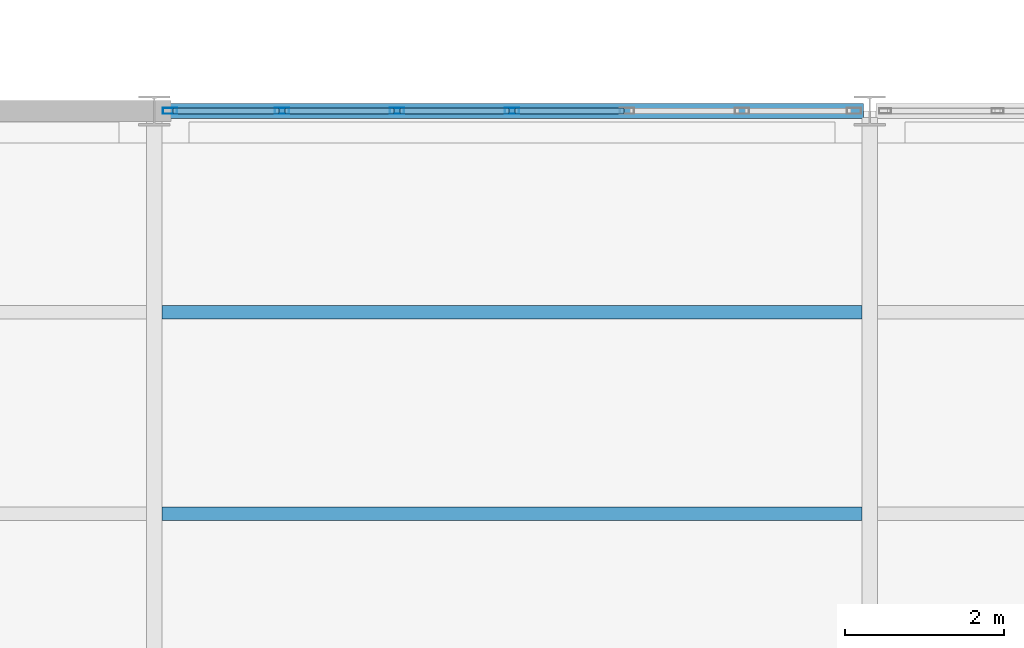
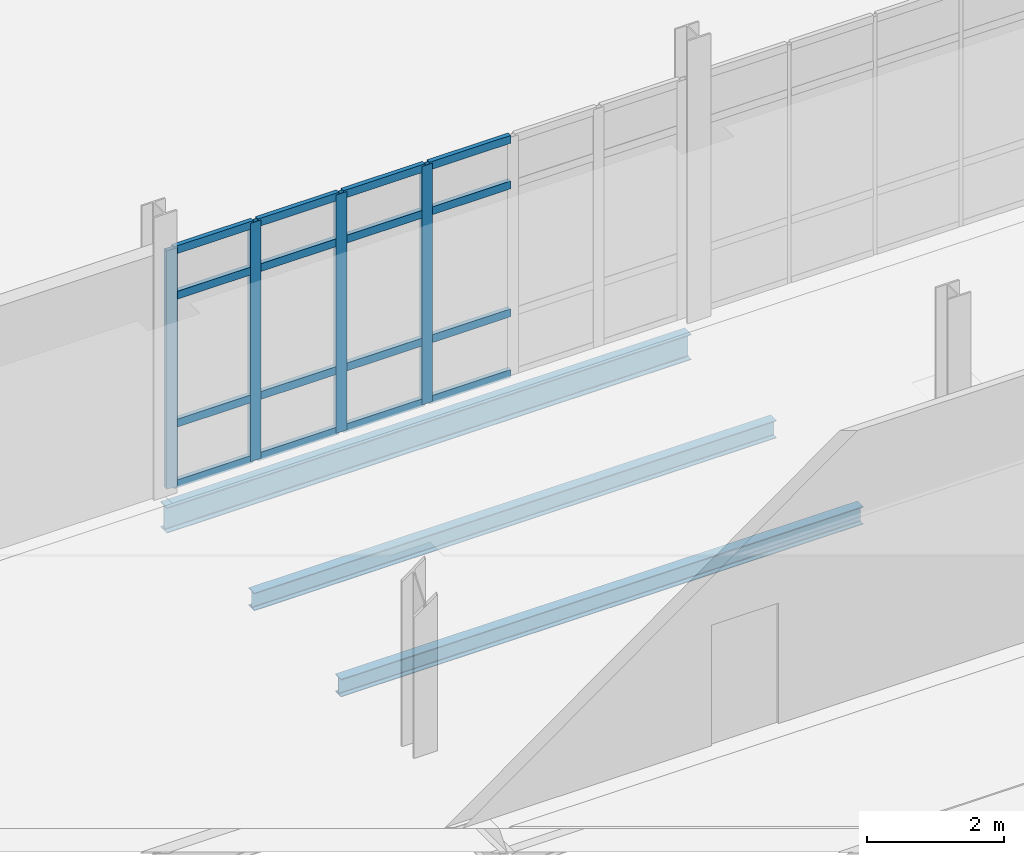
# One storey, part 58 of 161: 20 members, 3 beams, 1 element without a shape of its own.
"""IFC4 building model written with IfcOpenShell, lengths in metres."""

from ifc_helpers import new_model, si_unit, direction, frame, origin, origin_2d, place, context, subcontext, project, spatial, hollow_rectangle, i_section, extrude, material, material_profile, profile_set, type_object, element, aggregate, save


model = new_model("IFC4")

# Units and contexts
model_context = context("Model", 3, precision=1e-05, world=origin(), true_north=direction((0.0, 1.0)))
body_context = subcontext(model_context, "Body", "Model", "MODEL_VIEW")
ifc_project = project(units=[si_unit("LENGTHUNIT", "METRE"), si_unit("AREAUNIT", "SQUARE_METRE"), si_unit("VOLUMEUNIT", "CUBIC_METRE"), si_unit("PLANEANGLEUNIT", "RADIAN"), si_unit("MASSUNIT", "GRAM", prefix="KILO")], contexts=[model_context])

# Site, building, storey
site_placement = place(None, origin())
site = spatial("IfcSite", under=ifc_project, at=site_placement, CompositionType="ELEMENT")
building_placement = place(site_placement, origin())
building = spatial("IfcBuilding", under=site, at=building_placement, Name="Caisbarro Railhouse Central Library", CompositionType="ELEMENT")
storey_placement = place(building_placement, origin())
storey = spatial("IfcBuildingStorey", under=building, at=storey_placement, Name="L00", CompositionType="ELEMENT", Elevation=0.0)

# Beams
ifc_material_1 = material(Name="Steel ASTM A572 Grade 50", Category="steel")
ifc_material_profile_1 = material_profile(ifc_material_1, i_section(OverallWidth=0.1669921875, OverallDepth=0.31689453125, WebThickness=0.007568359375, FlangeThickness=0.01318359375, FilletRadius=0.011962890625, at=origin_2d()), Name="W310X52.0")
ifc_profile_set_1 = profile_set([ifc_material_profile_1], Name="Steel ASTM A572 Grade 50")
beam_type_1 = type_object("IfcBeamType", Name="BM-J02", PredefinedType="JOIST", material=ifc_profile_set_1)
for number, where, z_axis, x_axis, name in (
    (1, (90.096923828125, 25.333251953125, -0.4384765625), (1.0, 0.0, 0.0), (0.0, 1.0, 0.0), "J02 beam L00 #235"),
    (2, (90.096923828125, 27.86669921875, -0.4384765625), (1.0, 0.0, 0.0), (0.0, 1.0, 0.0), "J02 beam L00 #236"),
):
    element("IfcBeam", number, at=place(storey_placement, frame(where, z_axis=z_axis, x_axis=x_axis)), inside=storey, type_object=beam_type_1, Name=name, PredefinedType="JOIST", context=body_context, shape_type="SweptSolid", body=[
        extrude(i_section(OverallWidth=0.1669921875, OverallDepth=0.31689453125, WebThickness=0.007568359375, FlangeThickness=0.01318359375, FilletRadius=0.011962890625, at=origin_2d()), origin(), (0.0, 0.0, 1.0), 8.80615234375),
    ])
ifc_material_profile_2 = material_profile(ifc_material_1, i_section(OverallWidth=0.18994140625, OverallDepth=0.45703125, WebThickness=0.009033203125, FlangeThickness=0.014404296875, FilletRadius=0.01806640625, at=origin_2d()), Name="W460X74.0")
ifc_profile_set_2 = profile_set([ifc_material_profile_2], Name="Steel ASTM A572 Grade 50")
beam_type_2 = type_object("IfcBeamType", Name="BM-SP01", PredefinedType="SPANDREL", material=ifc_profile_set_2)
beam_placement = place(storey_placement, frame((90.080078125, 30.39990234375, -0.508544921875), z_axis=(1.0, 0.0, 0.0), x_axis=(0.0, 1.0, 0.0)))
element("IfcBeam", 3, at=beam_placement, inside=storey, type_object=beam_type_2, Name="SP01 beam L00 #178", PredefinedType="SPANDREL", context=body_context, shape_type="SweptSolid", body=[
    extrude(i_section(OverallWidth=0.18994140625, OverallDepth=0.45703125, WebThickness=0.009033203125, FlangeThickness=0.014404296875, FilletRadius=0.01806640625, at=origin_2d()), origin(), (0.0, 0.0, 1.0), 8.83984375),
])

# Curtain wall, members
ifc_material_2 = material(Name="Anodised architectural aluminium", Category="aluminium")
curtain_wall_type = type_object("IfcCurtainWallType", Name="CW-CW02", PredefinedType="NOTDEFINED", material=ifc_material_2)
curtain_wall_placement = place(storey_placement, origin())
curtain_wall = element("IfcCurtainWall", 4, at=curtain_wall_placement, inside=storey, type_object=curtain_wall_type, Name="CW02 curtain wall L00 #52", PredefinedType="NOTDEFINED")
ifc_material_profile_3 = material_profile(ifc_material_2, hollow_rectangle(XDim=0.074951171875, YDim=0.179931640625, WallThickness=0.00439453125, at=origin_2d()), Name="ALU-MUL-75X180")
ifc_profile_set_3 = profile_set([ifc_material_profile_3], Name="Anodised architectural aluminium")
member_type_1 = type_object("IfcMemberType", Name="CWM-M01", PredefinedType="MULLION", material=ifc_profile_set_3)
member_1_placement = place(storey_placement, frame((90.197509765625, 30.39990234375, 0.0), z_axis=(0.0, 0.0, 1.0), x_axis=(0.0, 1.0, 0.0)))
member_1 = element("IfcMember", 5, at=member_1_placement, type_object=member_type_1, Name="CW02 mullion 1", PredefinedType="MULLION", context=body_context, shape_type="SweptSolid", body=[
    extrude(hollow_rectangle(XDim=0.074951171875, YDim=0.179931640625, WallThickness=0.00439453125, at=origin_2d()), origin(), (0.0, 0.0, 1.0), 4.25),
])
member_2_placement = place(storey_placement, frame((91.606689453125, 30.39990234375, 0.0), z_axis=(0.0, 0.0, 1.0), x_axis=(0.0, 1.0, 0.0)))
member_2 = element("IfcMember", 6, at=member_2_placement, type_object=member_type_1, Name="CW02 mullion 2", PredefinedType="MULLION", context=body_context, shape_type="SweptSolid", body=[
    extrude(hollow_rectangle(XDim=0.074951171875, YDim=0.179931640625, WallThickness=0.00439453125, at=origin_2d()), origin(), (0.0, 0.0, 1.0), 4.25),
])
member_3_placement = place(storey_placement, frame((93.05322265625, 30.39990234375, 0.0), z_axis=(0.0, 0.0, 1.0), x_axis=(0.0, 1.0, 0.0)))
member_3 = element("IfcMember", 7, at=member_3_placement, type_object=member_type_1, Name="CW02 mullion 3", PredefinedType="MULLION", context=body_context, shape_type="SweptSolid", body=[
    extrude(hollow_rectangle(XDim=0.074951171875, YDim=0.179931640625, WallThickness=0.00439453125, at=origin_2d()), origin(), (0.0, 0.0, 1.0), 4.25),
])
member_4_placement = place(storey_placement, frame((94.5, 30.39990234375, 0.0), z_axis=(0.0, 0.0, 1.0), x_axis=(0.0, 1.0, 0.0)))
member_4 = element("IfcMember", 8, at=member_4_placement, type_object=member_type_1, Name="CW02 mullion 4", PredefinedType="MULLION", context=body_context, shape_type="SweptSolid", body=[
    extrude(hollow_rectangle(XDim=0.074951171875, YDim=0.179931640625, WallThickness=0.00439453125, at=origin_2d()), origin(), (0.0, 0.0, 1.0), 4.25),
])
ifc_material_profile_4 = material_profile(ifc_material_2, hollow_rectangle(XDim=0.074951171875, YDim=0.139892578125, WallThickness=0.00390625, at=origin_2d()), Name="ALU-TRN-75X140")
ifc_profile_set_4 = profile_set([ifc_material_profile_4], Name="Anodised architectural aluminium")
member_type_2 = type_object("IfcMemberType", Name="CWT-T01", PredefinedType="USERDEFINED", material=ifc_profile_set_4)
member_5_placement = place(storey_placement, frame((90.235107421875, 30.39990234375, 0.03759765625), z_axis=(1.0, 0.0, 0.0), x_axis=(0.0, 1.0, 0.0)))
member_5 = element("IfcMember", 9, at=member_5_placement, type_object=member_type_2, Name="CW02 transom 1.1", ObjectType="TRANSOM", PredefinedType="USERDEFINED", context=body_context, shape_type="SweptSolid", body=[
    extrude(hollow_rectangle(XDim=0.074951171875, YDim=0.139892578125, WallThickness=0.00390625, at=origin_2d()), origin(), (0.0, 0.0, 1.0), 1.333984375),
])
member_6_placement = place(storey_placement, frame((90.235107421875, 30.39990234375, 1.1201171875), z_axis=(1.0, 0.0, 0.0), x_axis=(0.0, 1.0, 0.0)))
member_6 = element("IfcMember", 10, at=member_6_placement, type_object=member_type_2, Name="CW02 transom 1.2", ObjectType="TRANSOM", PredefinedType="USERDEFINED", context=body_context, shape_type="SweptSolid", body=[
    extrude(hollow_rectangle(XDim=0.074951171875, YDim=0.139892578125, WallThickness=0.00390625, at=origin_2d()), origin(), (0.0, 0.0, 1.0), 1.333984375),
])
member_7_placement = place(storey_placement, frame((90.235107421875, 30.39990234375, 3.39990234375), z_axis=(1.0, 0.0, 0.0), x_axis=(0.0, 1.0, 0.0)))
member_7 = element("IfcMember", 11, at=member_7_placement, type_object=member_type_2, Name="CW02 transom 1.3", ObjectType="TRANSOM", PredefinedType="USERDEFINED", context=body_context, shape_type="SweptSolid", body=[
    extrude(hollow_rectangle(XDim=0.074951171875, YDim=0.139892578125, WallThickness=0.00390625, at=origin_2d()), origin(), (0.0, 0.0, 1.0), 1.333984375),
])
member_8_placement = place(storey_placement, frame((90.235107421875, 30.39990234375, 4.21240234375), z_axis=(1.0, 0.0, 0.0), x_axis=(0.0, 1.0, 0.0)))
member_8 = element("IfcMember", 12, at=member_8_placement, type_object=member_type_2, Name="CW02 transom 1.4", ObjectType="TRANSOM", PredefinedType="USERDEFINED", context=body_context, shape_type="SweptSolid", body=[
    extrude(hollow_rectangle(XDim=0.074951171875, YDim=0.139892578125, WallThickness=0.00390625, at=origin_2d()), origin(), (0.0, 0.0, 1.0), 1.333984375),
])
member_9_placement = place(storey_placement, frame((91.644287109375, 30.39990234375, 0.03759765625), z_axis=(1.0, 0.0, 0.0), x_axis=(0.0, 1.0, 0.0)))
member_9 = element("IfcMember", 13, at=member_9_placement, type_object=member_type_2, Name="CW02 transom 2.1", ObjectType="TRANSOM", PredefinedType="USERDEFINED", context=body_context, shape_type="SweptSolid", body=[
    extrude(hollow_rectangle(XDim=0.074951171875, YDim=0.139892578125, WallThickness=0.00390625, at=origin_2d()), origin(), (0.0, 0.0, 1.0), 1.37158203125),
])
member_10_placement = place(storey_placement, frame((91.644287109375, 30.39990234375, 1.1201171875), z_axis=(1.0, 0.0, 0.0), x_axis=(0.0, 1.0, 0.0)))
member_10 = element("IfcMember", 14, at=member_10_placement, type_object=member_type_2, Name="CW02 transom 2.2", ObjectType="TRANSOM", PredefinedType="USERDEFINED", context=body_context, shape_type="SweptSolid", body=[
    extrude(hollow_rectangle(XDim=0.074951171875, YDim=0.139892578125, WallThickness=0.00390625, at=origin_2d()), origin(), (0.0, 0.0, 1.0), 1.37158203125),
])
member_11_placement = place(storey_placement, frame((91.644287109375, 30.39990234375, 3.39990234375), z_axis=(1.0, 0.0, 0.0), x_axis=(0.0, 1.0, 0.0)))
member_11 = element("IfcMember", 15, at=member_11_placement, type_object=member_type_2, Name="CW02 transom 2.3", ObjectType="TRANSOM", PredefinedType="USERDEFINED", context=body_context, shape_type="SweptSolid", body=[
    extrude(hollow_rectangle(XDim=0.074951171875, YDim=0.139892578125, WallThickness=0.00390625, at=origin_2d()), origin(), (0.0, 0.0, 1.0), 1.37158203125),
])
member_12_placement = place(storey_placement, frame((91.644287109375, 30.39990234375, 4.21240234375), z_axis=(1.0, 0.0, 0.0), x_axis=(0.0, 1.0, 0.0)))
member_12 = element("IfcMember", 16, at=member_12_placement, type_object=member_type_2, Name="CW02 transom 2.4", ObjectType="TRANSOM", PredefinedType="USERDEFINED", context=body_context, shape_type="SweptSolid", body=[
    extrude(hollow_rectangle(XDim=0.074951171875, YDim=0.139892578125, WallThickness=0.00390625, at=origin_2d()), origin(), (0.0, 0.0, 1.0), 1.37158203125),
])
member_13_placement = place(storey_placement, frame((93.0908203125, 30.39990234375, 0.03759765625), z_axis=(1.0, 0.0, 0.0), x_axis=(0.0, 1.0, 0.0)))
member_13 = element("IfcMember", 17, at=member_13_placement, type_object=member_type_2, Name="CW02 transom 3.1", ObjectType="TRANSOM", PredefinedType="USERDEFINED", context=body_context, shape_type="SweptSolid", body=[
    extrude(hollow_rectangle(XDim=0.074951171875, YDim=0.139892578125, WallThickness=0.00390625, at=origin_2d()), origin(), (0.0, 0.0, 1.0), 1.37158203125),
])
member_14_placement = place(storey_placement, frame((93.0908203125, 30.39990234375, 1.1201171875), z_axis=(1.0, 0.0, 0.0), x_axis=(0.0, 1.0, 0.0)))
member_14 = element("IfcMember", 18, at=member_14_placement, type_object=member_type_2, Name="CW02 transom 3.2", ObjectType="TRANSOM", PredefinedType="USERDEFINED", context=body_context, shape_type="SweptSolid", body=[
    extrude(hollow_rectangle(XDim=0.074951171875, YDim=0.139892578125, WallThickness=0.00390625, at=origin_2d()), origin(), (0.0, 0.0, 1.0), 1.37158203125),
])
member_15_placement = place(storey_placement, frame((93.0908203125, 30.39990234375, 3.39990234375), z_axis=(1.0, 0.0, 0.0), x_axis=(0.0, 1.0, 0.0)))
member_15 = element("IfcMember", 19, at=member_15_placement, type_object=member_type_2, Name="CW02 transom 3.3", ObjectType="TRANSOM", PredefinedType="USERDEFINED", context=body_context, shape_type="SweptSolid", body=[
    extrude(hollow_rectangle(XDim=0.074951171875, YDim=0.139892578125, WallThickness=0.00390625, at=origin_2d()), origin(), (0.0, 0.0, 1.0), 1.37158203125),
])
member_16_placement = place(storey_placement, frame((93.0908203125, 30.39990234375, 4.21240234375), z_axis=(1.0, 0.0, 0.0), x_axis=(0.0, 1.0, 0.0)))
member_16 = element("IfcMember", 20, at=member_16_placement, type_object=member_type_2, Name="CW02 transom 3.4", ObjectType="TRANSOM", PredefinedType="USERDEFINED", context=body_context, shape_type="SweptSolid", body=[
    extrude(hollow_rectangle(XDim=0.074951171875, YDim=0.139892578125, WallThickness=0.00390625, at=origin_2d()), origin(), (0.0, 0.0, 1.0), 1.37158203125),
])
member_17_placement = place(storey_placement, frame((94.53759765625, 30.39990234375, 0.03759765625), z_axis=(1.0, 0.0, 0.0), x_axis=(0.0, 1.0, 0.0)))
member_17 = element("IfcMember", 21, at=member_17_placement, type_object=member_type_2, Name="CW02 transom 4.1", ObjectType="TRANSOM", PredefinedType="USERDEFINED", context=body_context, shape_type="SweptSolid", body=[
    extrude(hollow_rectangle(XDim=0.074951171875, YDim=0.139892578125, WallThickness=0.00390625, at=origin_2d()), origin(), (0.0, 0.0, 1.0), 1.37158203125),
])
member_18_placement = place(storey_placement, frame((94.53759765625, 30.39990234375, 1.1201171875), z_axis=(1.0, 0.0, 0.0), x_axis=(0.0, 1.0, 0.0)))
member_18 = element("IfcMember", 22, at=member_18_placement, type_object=member_type_2, Name="CW02 transom 4.2", ObjectType="TRANSOM", PredefinedType="USERDEFINED", context=body_context, shape_type="SweptSolid", body=[
    extrude(hollow_rectangle(XDim=0.074951171875, YDim=0.139892578125, WallThickness=0.00390625, at=origin_2d()), origin(), (0.0, 0.0, 1.0), 1.37158203125),
])
member_19_placement = place(storey_placement, frame((94.53759765625, 30.39990234375, 3.39990234375), z_axis=(1.0, 0.0, 0.0), x_axis=(0.0, 1.0, 0.0)))
member_19 = element("IfcMember", 23, at=member_19_placement, type_object=member_type_2, Name="CW02 transom 4.3", ObjectType="TRANSOM", PredefinedType="USERDEFINED", context=body_context, shape_type="SweptSolid", body=[
    extrude(hollow_rectangle(XDim=0.074951171875, YDim=0.139892578125, WallThickness=0.00390625, at=origin_2d()), origin(), (0.0, 0.0, 1.0), 1.37158203125),
])
member_20_placement = place(storey_placement, frame((94.53759765625, 30.39990234375, 4.21240234375), z_axis=(1.0, 0.0, 0.0), x_axis=(0.0, 1.0, 0.0)))
member_20 = element("IfcMember", 24, at=member_20_placement, type_object=member_type_2, Name="CW02 transom 4.4", ObjectType="TRANSOM", PredefinedType="USERDEFINED", context=body_context, shape_type="SweptSolid", body=[
    extrude(hollow_rectangle(XDim=0.074951171875, YDim=0.139892578125, WallThickness=0.00390625, at=origin_2d()), origin(), (0.0, 0.0, 1.0), 1.37158203125),
])
aggregate(curtain_wall, [member_1, member_2, member_3, member_4, member_5, member_6, member_7, member_8, member_9, member_10, member_11, member_12, member_13, member_14, member_15, member_16, member_17, member_18, member_19, member_20])

save(model, "model.ifc")
